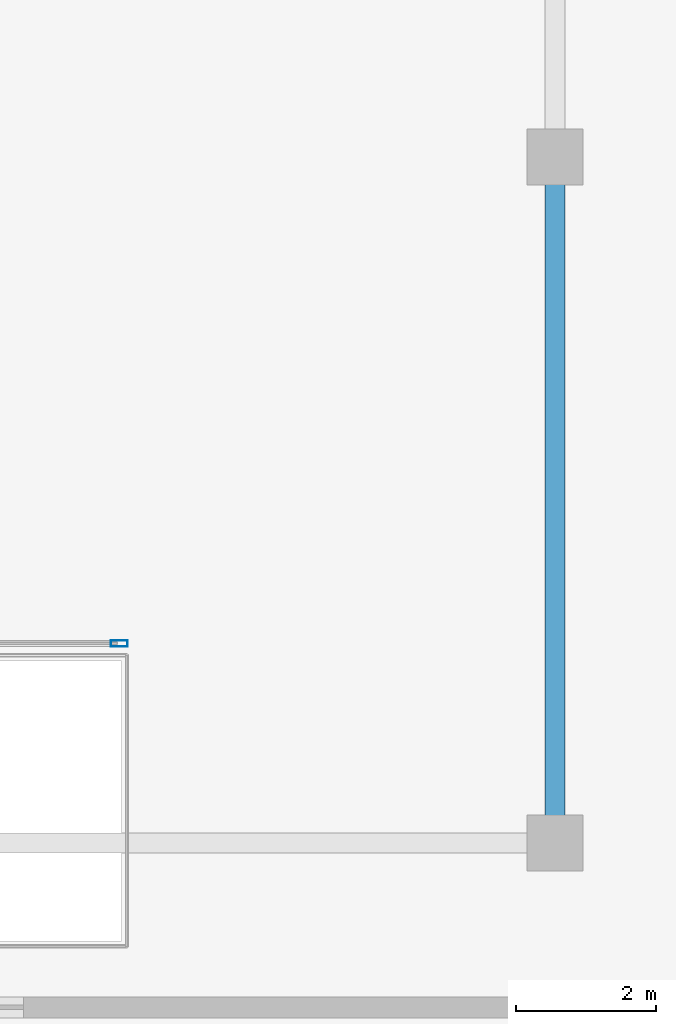
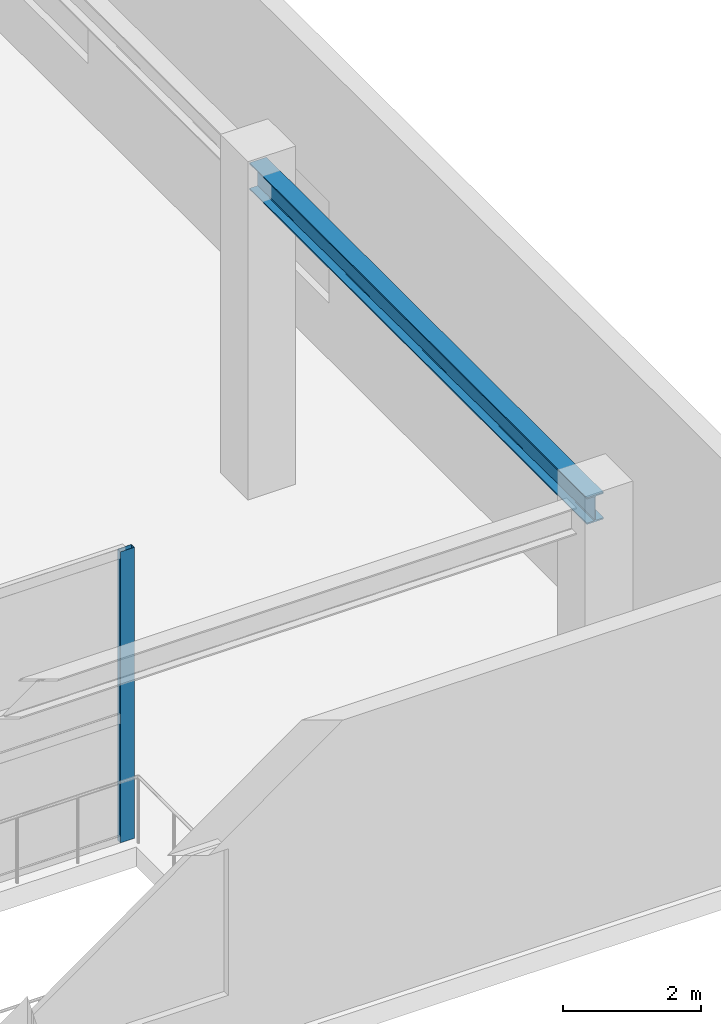
# One storey, part 4 of 17: 1 beam, 1 member, 1 element without a shape of its own.
"""IFC4 building model written with IfcOpenShell, lengths in metres."""

from ifc_helpers import new_model, si_unit, direction, frame, origin, origin_2d, place, context, subcontext, project, spatial, hollow_rectangle, i_section, extrude, material, layer, layer_set, material_profile, profile_set, type_object, element, aggregate, save


model = new_model("IFC4")

# Units and contexts
model_context = context("Model", 3, precision=1e-05, world=origin(), true_north=direction((0.0, 1.0)))
body_context = subcontext(model_context, "Body", "Model", "MODEL_VIEW")
ifc_project = project(units=[si_unit("LENGTHUNIT", "METRE"), si_unit("AREAUNIT", "SQUARE_METRE"), si_unit("VOLUMEUNIT", "CUBIC_METRE"), si_unit("PLANEANGLEUNIT", "RADIAN"), si_unit("MASSUNIT", "GRAM", prefix="KILO")], contexts=[model_context])

# Site, building, storey
site_placement = place(None, origin())
site = spatial("IfcSite", under=ifc_project, at=site_placement, CompositionType="ELEMENT")
building_placement = place(site_placement, origin())
building = spatial("IfcBuilding", under=site, at=building_placement, Name="Bramvorn Convention Spire", CompositionType="ELEMENT")
storey_placement = place(building_placement, frame((0.0, 0.0, 24.0)))
storey = spatial("IfcBuildingStorey", under=building, at=storey_placement, Name="L04", CompositionType="ELEMENT", Elevation=24.0)

# Beam
ifc_material_1 = material(Name="Steel CSA G40.21 Grade 350 (350W)", Category="steel")
ifc_material_profile_1 = material_profile(ifc_material_1, i_section(OverallWidth=0.283935546875, OverallDepth=0.47607421875, WebThickness=0.014892578125, FlangeThickness=0.02392578125, FilletRadius=0.01806640625, at=origin_2d()))
ifc_profile_set_1 = profile_set([ifc_material_profile_1], Name="Steel CSA G40.21 Grade 350 (350W) - W460X158")
beam_type = type_object("IfcBeamType", Name="BM-W460X158", PredefinedType="SPANDREL", material=ifc_profile_set_1)
beam_placement = place(storey_placement, frame((73.199951171875, 2.60009765625, 5.412109375), z_axis=(0.0, 1.0, 0.0), x_axis=(-1.0, 0.0, 0.0)))
element("IfcBeam", 1, at=beam_placement, inside=storey, type_object=beam_type, Name="L04 podium spandrel beam 05", PredefinedType="SPANDREL", context=body_context, shape_type="SweptSolid", body=[
    extrude(i_section(OverallWidth=0.283935546875, OverallDepth=0.47607421875, WebThickness=0.014892578125, FlangeThickness=0.02392578125, FilletRadius=0.01806640625, at=origin_2d()), origin(), (0.0, 0.0, 1.0), 9.7998046875),
])

# Curtain wall, member
ifc_material_2 = material(Name="Anodised Bronze Unitised Curtain Wall", Category="aluminium")
ifc_layer = layer(ifc_material_2, 0.219970703125)
ifc_layer_set = layer_set([ifc_layer], Name="Anodised Bronze Unitised Curtain Wall - CW-POD-LANCET")
curtain_wall_type = type_object("IfcCurtainWallType", Name="CW-POD-LANCET", PredefinedType="USERDEFINED", material=ifc_layer_set)
curtain_wall_placement = place(storey_placement, origin())
curtain_wall = element("IfcCurtainWall", 2, at=curtain_wall_placement, inside=storey, type_object=curtain_wall_type, Name="L04 SE colonnade lancet curtain wall", ObjectType="UNITISED CURTAIN WALL", PredefinedType="USERDEFINED")
ifc_material_3 = material(Name="Anodised Bronze Aluminium 6063-T6", Category="aluminium")
ifc_material_profile_2 = material_profile(ifc_material_3, hollow_rectangle(XDim=0.090087890625, YDim=0.239990234375, WallThickness=0.00439453125, InnerFilletRadius=0.0009765625, OuterFilletRadius=0.00439453125, at=origin_2d()))
ifc_profile_set_2 = profile_set([ifc_material_profile_2], Name="Anodised Bronze Aluminium 6063-T6 - CWM90X240")
member_type = type_object("IfcMemberType", Name="CW-MUL-220", PredefinedType="MULLION", material=ifc_profile_set_2)
member_placement = place(storey_placement, frame((66.969970703125, 5.449951171875, 0.0), z_axis=(0.0, 0.0, 1.0), x_axis=(0.0, 1.0, 0.0)))
member = element("IfcMember", 3, at=member_placement, type_object=member_type, Name="CW1 mullion 3", PredefinedType="MULLION", context=body_context, shape_type="SweptSolid", body=[
    extrude(hollow_rectangle(XDim=0.090087890625, YDim=0.239990234375, WallThickness=0.00439453125, InnerFilletRadius=0.0009765625, OuterFilletRadius=0.00439453125, at=origin_2d()), origin(), (0.0, 0.0, 1.0), 5.159912109375),
])
aggregate(curtain_wall, [member])

save(model, "model.ifc")
